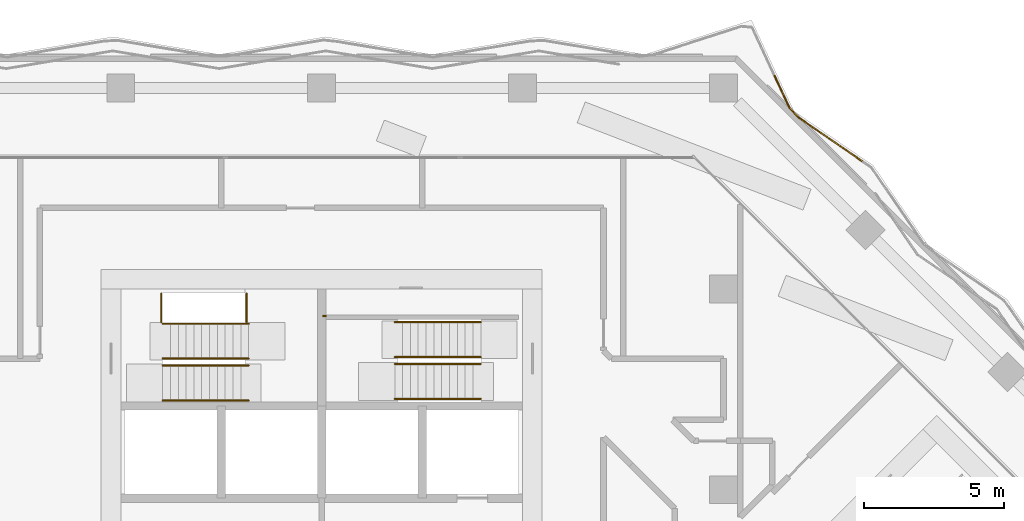
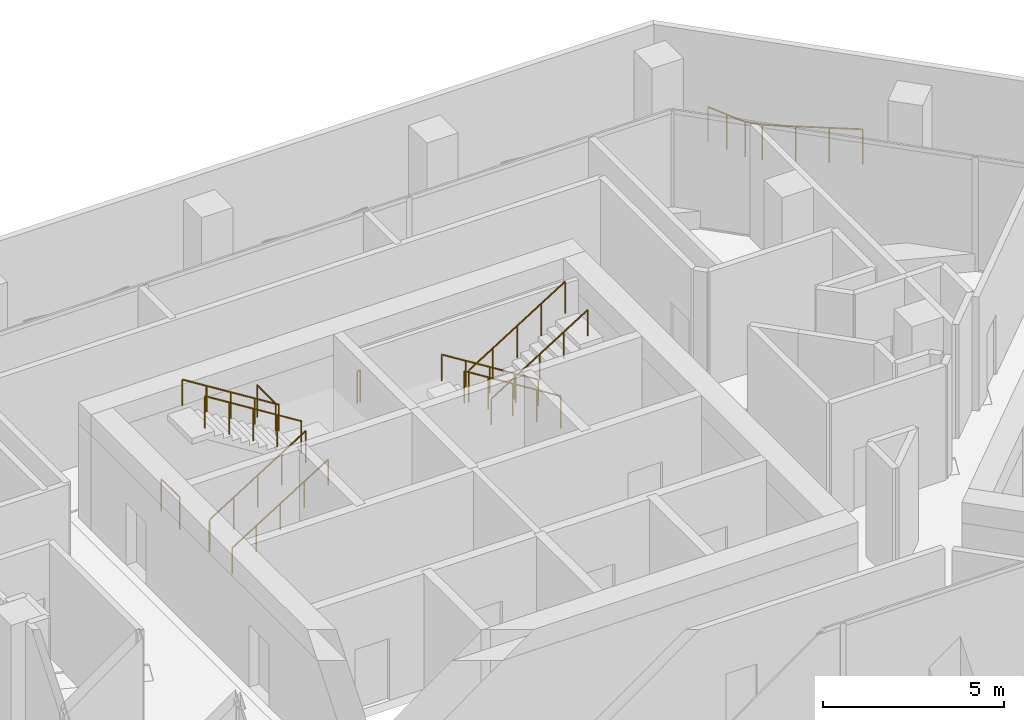
# One storey, part 19 of 23: 14 railings.
"""IFC4 building model written with IfcOpenShell, lengths in metres."""

import ifcopenshell
import ifcopenshell.guid

model = None  # the IFC model being written
_history = None  # IfcOwnerHistory: only IFC2X3 demands one
_inside = {}  # id of a spatial element -> (the spatial element, [elements in it])
_under = {}  # id of a project, library or spatial element -> (it, [spatial elements below it])
_declared = {}  # id of a project -> (the project, [libraries it declares])
_typed = {}  # id of a type object -> (the type object, [elements of that type])
_made_of = {}  # id of a material, layer set ... -> (it, [elements and type objects made of it])


def new_model(schema):
    """Start an empty IFC model of exactly this schema.

    Asked for "IFC4X3", IfcOpenShell would pick the latest addendum, in which some entities
    have other attributes; the version numbers below select the first issue.
    IFC2X3 requires an IfcOwnerHistory on every rooted entity: one is made here for all.
    """
    global model, _history
    if schema == "IFC4X3":
        model = ifcopenshell.file(schema_version=(4, 3, 0, 0))
    else:
        model = ifcopenshell.file(schema=schema)
    _inside.clear()
    _under.clear()
    _declared.clear()
    _typed.clear()
    _made_of.clear()
    _history = None
    if model.schema == "IFC2X3":
        org = make("IfcOrganization", Name="unknown")
        user = make(
            "IfcPersonAndOrganization",
            ThePerson=make("IfcPerson", FamilyName="unknown"),
            TheOrganization=org,
        )
        app = make(
            "IfcApplication",
            ApplicationDeveloper=org,
            Version="unknown",
            ApplicationFullName="unknown",
            ApplicationIdentifier="unknown",
        )
        _history = make(
            "IfcOwnerHistory",
            OwningUser=user,
            OwningApplication=app,
            ChangeAction="ADDED",
            CreationDate=0,
        )
    return model


def make(cls, **values):
    """One entity of the class cls with the attributes given. An attribute that is None is left unset."""
    return model.create_entity(
        cls, **{name: value for name, value in values.items() if value is not None}
    )


def rooted(cls, **values):
    """An entity with a GlobalId (a new one), such as an element, a storey or a relation."""
    return make(cls, GlobalId=ifcopenshell.guid.new(), OwnerHistory=_history, **values)


def si_unit(unit_type, name, prefix=None):
    """IfcSIUnit, for example si_unit("LENGTHUNIT", "METRE", prefix="MILLI")."""
    return make("IfcSIUnit", UnitType=unit_type, Prefix=prefix, Name=name)


def assignment(units):
    """IfcUnitAssignment: the units of a project."""
    return None if units is None else make("IfcUnitAssignment", Units=units)


def point(xyz):
    """IfcCartesianPoint."""
    return None if xyz is None else make("IfcCartesianPoint", Coordinates=xyz)


def direction(xyz):
    """IfcDirection."""
    return None if xyz is None else make("IfcDirection", DirectionRatios=xyz)


def frame(location, z_axis=None, x_axis=None):
    """IfcAxis2Placement3D, a coordinate frame: its origin and axes. An axis left out is left unset."""
    return make(
        "IfcAxis2Placement3D",
        Location=point(location),
        Axis=direction(z_axis),
        RefDirection=direction(x_axis),
    )


def frame_2d(location, x_axis=None):
    """IfcAxis2Placement2D, a coordinate frame in the plane: its origin and x axis."""
    return make(
        "IfcAxis2Placement2D", Location=point(location), RefDirection=direction(x_axis)
    )


def origin():
    """The frame at (0, 0, 0) with its axes left unset."""
    return frame((0.0, 0.0, 0.0))


def origin_2d():
    """The frame at (0, 0) in the plane with its x axis left unset."""
    return frame_2d((0.0, 0.0))


def place(relative_to, where):
    """IfcLocalPlacement: puts the frame where relative to a parent placement (None: the world)."""
    return make(
        "IfcLocalPlacement", PlacementRelTo=relative_to, RelativePlacement=where
    )


def context(
    kind, dimensions, precision=None, world=None, true_north=None, identifier=None
):
    """IfcGeometricRepresentationContext, for example the 3D "Model" context."""
    return make(
        "IfcGeometricRepresentationContext",
        ContextIdentifier=identifier,
        ContextType=kind,
        CoordinateSpaceDimension=dimensions,
        Precision=precision,
        WorldCoordinateSystem=world,
        TrueNorth=true_north,
    )


def subcontext(parent, identifier, kind, view, scale=None):
    """IfcGeometricRepresentationSubContext, for example "Body" below "Model"."""
    return make(
        "IfcGeometricRepresentationSubContext",
        ContextIdentifier=identifier,
        ContextType=kind,
        ParentContext=parent,
        TargetScale=scale,
        TargetView=view,
    )


def project(units=None, contexts=None):
    """IfcProject with its units and contexts."""
    return rooted(
        "IfcProject",
        Name="project",
        RepresentationContexts=contexts,
        UnitsInContext=assignment(units),
    )


def spatial(cls, under=None, at=None, **own):
    """A site, building, storey or space (cls), placed at a placement, below another one or the project."""
    s = rooted(cls, ObjectPlacement=at, **own)
    if under is not None:
        _under.setdefault(under.id(), (under, []))[1].append(s)
    return s


def profile(cls, at=None, kind="AREA", **sizes):
    """A parametric profile (cls). Its sizes go by their IFC names, for example OverallWidth=200.0."""
    return make(cls, ProfileType=kind, Position=at, **sizes)


def circle(**sizes):
    """IfcCircleProfileDef."""
    return profile("IfcCircleProfileDef", **sizes)


def extrude(swept, where, along, depth):
    """IfcExtrudedAreaSolid: the profile swept, set in the frame where, extruded along a direction by depth."""
    return make(
        "IfcExtrudedAreaSolid",
        SweptArea=swept,
        Position=where,
        ExtrudedDirection=direction(along),
        Depth=depth,
    )


def shape(context_of_items, identifier, shape_type, items):
    """IfcShapeRepresentation: the items that make up one representation, for example the "Body"."""
    return make(
        "IfcShapeRepresentation",
        ContextOfItems=context_of_items,
        RepresentationIdentifier=identifier,
        RepresentationType=shape_type,
        Items=items,
    )


def material(Name=None, Category=None):
    """IfcMaterial."""
    return make("IfcMaterial", Name=Name, Category=Category)


def made_of(thing, what):
    """Note that an element or type object is made of a material, layer set ...; save() writes the relation."""
    if what is not None:
        _made_of.setdefault(what.id(), (what, []))[1].append(thing)
    return thing


def type_object(cls, material=None, **own):
    """A type object (cls), such as IfcWallType, which elements share."""
    return made_of(rooted(cls, **own), material)


def element(
    cls,
    number,
    at=None,
    inside=None,
    cuts=None,
    type_object=None,
    material=None,
    context=None,
    identifier="Body",
    shape_type=None,
    held_by="IfcProductDefinitionShape",
    body=None,
    shapes=None,
    **own,
):
    """One element of the class cls, such as IfcWall. Its Tag is "e" and its number.

    at: its placement. inside: the storey or other place that contains it. cuts: it is an
    opening in that element (IfcRelVoidsElement). A single representation is given by context,
    identifier, shape_type and body (its items); several are given by shapes. held_by: the class
    of the entity that holds the representations. save() writes the other relations.
    """
    e = rooted(cls, Tag="e%d" % number, ObjectPlacement=at, **own)
    if body is not None:
        shapes = [shape(context, identifier, shape_type, body)]
    if shapes is not None:
        e.Representation = make(held_by, Representations=shapes)
    if inside is not None:
        _inside.setdefault(inside.id(), (inside, []))[1].append(e)
    if cuts is not None:
        rooted(
            "IfcRelVoidsElement", RelatingBuildingElement=cuts, RelatedOpeningElement=e
        )
    if type_object is not None:
        _typed.setdefault(type_object.id(), (type_object, []))[1].append(e)
    return made_of(e, material)


def aggregate(whole, parts):
    """IfcRelAggregates: a whole, such as a stair, and the parts it consists of."""
    return rooted("IfcRelAggregates", RelatingObject=whole, RelatedObjects=parts)


def save(model, path):
    """Write the relations noted so far, then the file.

    IfcRelAggregates (storeys below a building ...), IfcRelContainedInSpatialStructure (elements
    in a storey), IfcRelDefinesByType, IfcRelAssociatesMaterial and IfcRelDeclares: one each for
    every whole, place, type object, material and project.
    """
    for whole, parts in _under.values():
        aggregate(whole, parts)
    for where, things in _inside.values():
        rooted(
            "IfcRelContainedInSpatialStructure",
            RelatedElements=things,
            RelatingStructure=where,
        )
    for kind, things in _typed.values():
        rooted("IfcRelDefinesByType", RelatedObjects=things, RelatingType=kind)
    for what, things in _made_of.values():
        rooted("IfcRelAssociatesMaterial", RelatedObjects=things, RelatingMaterial=what)
    for by, libraries in _declared.values():
        rooted("IfcRelDeclares", RelatingContext=by, RelatedDefinitions=libraries)
    model.write(path)


model = new_model("IFC4")

# Units and contexts
model_context = context("Model", 3, precision=1e-05, world=origin(), true_north=direction((0.0, 1.0)))
body_context = subcontext(model_context, "Body", "Model", "MODEL_VIEW")
ifc_project = project(units=[si_unit("LENGTHUNIT", "METRE"), si_unit("AREAUNIT", "SQUARE_METRE"), si_unit("VOLUMEUNIT", "CUBIC_METRE"), si_unit("PLANEANGLEUNIT", "RADIAN"), si_unit("MASSUNIT", "GRAM", prefix="KILO")], contexts=[model_context])

# Site, building, storey
site_placement = place(None, origin())
site = spatial("IfcSite", under=ifc_project, at=site_placement, CompositionType="ELEMENT")
building_placement = place(site_placement, origin())
building = spatial("IfcBuilding", under=site, at=building_placement, Name="Windrow Commons", CompositionType="ELEMENT")
storey_placement = place(building_placement, frame((0.0, 0.0, 122.0)))
storey = spatial("IfcBuildingStorey", under=building, at=storey_placement, Name="L33", CompositionType="ELEMENT", Elevation=122.0)

# Railings
ifc_material_1 = material(Name="Steel S355", Category="steel")
railing_type_1 = type_object("IfcRailingType", Name="Core stair guard 1100", PredefinedType="GUARDRAIL", material=ifc_material_1)
railing_1_placement = place(storey_placement, frame((59.1, 62.05, 0.175)))
element("IfcRailing", 1, at=railing_1_placement, inside=storey, type_object=railing_type_1, Name="L33 ST-A1 stair guard 1", PredefinedType="GUARDRAIL", context=body_context, shape_type="SweptSolid", body=[
    extrude(circle(Radius=0.024, at=origin_2d()), frame((0.0, 0.0, 1.076), z_axis=(0.847998304, 0.0, 0.52999894), x_axis=(0.0, 1.0, 0.0)), (0.0, 0.0, 1.0), 3.6321),
    extrude(circle(Radius=0.021, at=origin_2d()), origin(), (0.0, 0.0, 1.0), 1.052),
    extrude(circle(Radius=0.021, at=origin_2d()), frame((0.77, 0.0, 0.4812)), (0.0, 0.0, 1.0), 1.052),
    extrude(circle(Radius=0.021, at=origin_2d()), frame((1.54, 0.0, 0.9625)), (0.0, 0.0, 1.0), 1.052),
    extrude(circle(Radius=0.021, at=origin_2d()), frame((2.31, 0.0, 1.4437)), (0.0, 0.0, 1.0), 1.052),
    extrude(circle(Radius=0.021, at=origin_2d()), frame((3.08, 0.0, 1.925)), (0.0, 0.0, 1.0), 1.052),
])
railing_2_placement = place(storey_placement, frame((62.18, 62.3, 2.275)))
element("IfcRailing", 2, at=railing_2_placement, inside=storey, type_object=railing_type_1, Name="L33 ST-A1 stair guard 2", PredefinedType="GUARDRAIL", context=body_context, shape_type="SweptSolid", body=[
    extrude(circle(Radius=0.024, at=origin_2d()), frame((0.0, 0.0, 1.076), z_axis=(-0.847998304, 0.0, 0.52999894), x_axis=(0.0, -1.0, 0.0)), (0.0, 0.0, 1.0), 3.6321),
    extrude(circle(Radius=0.021, at=origin_2d()), origin(), (0.0, 0.0, 1.0), 1.052),
    extrude(circle(Radius=0.021, at=origin_2d()), frame((-0.77, 0.0, 0.4812)), (0.0, 0.0, 1.0), 1.052),
    extrude(circle(Radius=0.021, at=origin_2d()), frame((-1.54, 0.0, 0.9625)), (0.0, 0.0, 1.0), 1.052),
    extrude(circle(Radius=0.021, at=origin_2d()), frame((-2.31, 0.0, 1.4437)), (0.0, 0.0, 1.0), 1.052),
    extrude(circle(Radius=0.021, at=origin_2d()), frame((-3.08, 0.0, 1.925)), (0.0, 0.0, 1.0), 1.052),
])
for number, where, name in (
    (3, (59.05, 63.6, 0.0), "L33 ST-A1 stair guard 3"),
    (4, (62.11, 63.6, 2.1), "L33 ST-A1 stair guard 4"),
):
    element("IfcRailing", number, at=place(storey_placement, frame(where)), inside=storey, type_object=railing_type_1, Name=name, PredefinedType="GUARDRAIL", context=body_context, shape_type="SweptSolid", body=[
        extrude(circle(Radius=0.024, at=origin_2d()), frame((0.0, 0.0, 1.076), z_axis=(0.0, 1.0, 0.0), x_axis=(-1.0, 0.0, 0.0)), (0.0, 0.0, 1.0), 1.03),
        extrude(circle(Radius=0.021, at=origin_2d()), origin(), (0.0, 0.0, 1.0), 1.052),
        extrude(circle(Radius=0.021, at=origin_2d()), frame((0.0, 1.03, 0.0)), (0.0, 0.0, 1.0), 1.052),
    ])
railing_3_placement = place(storey_placement, frame((70.5, 62.355, 0.175)))
element("IfcRailing", 5, at=railing_3_placement, inside=storey, type_object=railing_type_1, Name="L33 ST-A2 stair guard 1", PredefinedType="GUARDRAIL", context=body_context, shape_type="SweptSolid", body=[
    extrude(circle(Radius=0.024, at=origin_2d()), frame((0.0, 0.0, 1.076), z_axis=(-0.847998304, 0.0, 0.52999894), x_axis=(0.0, -1.0, 0.0)), (0.0, 0.0, 1.0), 3.6321),
    extrude(circle(Radius=0.021, at=origin_2d()), origin(), (0.0, 0.0, 1.0), 1.052),
    extrude(circle(Radius=0.021, at=origin_2d()), frame((-0.77, 0.0, 0.4812)), (0.0, 0.0, 1.0), 1.052),
    extrude(circle(Radius=0.021, at=origin_2d()), frame((-1.54, 0.0, 0.9625)), (0.0, 0.0, 1.0), 1.052),
    extrude(circle(Radius=0.021, at=origin_2d()), frame((-2.31, 0.0, 1.4437)), (0.0, 0.0, 1.0), 1.052),
    extrude(circle(Radius=0.021, at=origin_2d()), frame((-3.08, 0.0, 1.925)), (0.0, 0.0, 1.0), 1.052),
])
railing_4_placement = place(storey_placement, frame((67.42, 62.105, 2.275)))
element("IfcRailing", 6, at=railing_4_placement, inside=storey, type_object=railing_type_1, Name="L33 ST-A2 stair guard 2", PredefinedType="GUARDRAIL", context=body_context, shape_type="SweptSolid", body=[
    extrude(circle(Radius=0.024, at=origin_2d()), frame((0.0, 0.0, 1.076), z_axis=(0.847998304, 0.0, 0.52999894), x_axis=(0.0, 1.0, 0.0)), (0.0, 0.0, 1.0), 3.6321),
    extrude(circle(Radius=0.021, at=origin_2d()), origin(), (0.0, 0.0, 1.0), 1.052),
    extrude(circle(Radius=0.021, at=origin_2d()), frame((0.77, 0.0, 0.4812)), (0.0, 0.0, 1.0), 1.052),
    extrude(circle(Radius=0.021, at=origin_2d()), frame((1.54, 0.0, 0.9625)), (0.0, 0.0, 1.0), 1.052),
    extrude(circle(Radius=0.021, at=origin_2d()), frame((2.31, 0.0, 1.4437)), (0.0, 0.0, 1.0), 1.052),
    extrude(circle(Radius=0.021, at=origin_2d()), frame((3.08, 0.0, 1.925)), (0.0, 0.0, 1.0), 1.052),
])
railing_5_placement = place(storey_placement, frame((64.95, 63.825, 2.1)))
element("IfcRailing", 7, at=railing_5_placement, inside=storey, type_object=railing_type_1, Name="L33 ST-A2 stair guard 3", PredefinedType="GUARDRAIL", context=body_context, shape_type="SweptSolid", body=[
    extrude(circle(Radius=0.024, at=origin_2d()), frame((0.0, 0.0, 1.076), z_axis=(-1.0, 0.0, 0.0), x_axis=(0.0, -1.0, 0.0)), (0.0, 0.0, 1.0), 0.1),
    extrude(circle(Radius=0.021, at=origin_2d()), origin(), (0.0, 0.0, 1.0), 1.052),
    extrude(circle(Radius=0.021, at=origin_2d()), frame((-0.1, 0.0, 0.0)), (0.0, 0.0, 1.0), 1.052),
])
ifc_material_2 = material(Name="Steel S355", Category="steel")
railing_type_2 = type_object("IfcRailingType", Name="Core stair handrail 900", PredefinedType="HANDRAIL", material=ifc_material_2)
railing_6_placement = place(storey_placement, frame((59.1, 60.8, 0.175)))
element("IfcRailing", 8, at=railing_6_placement, inside=storey, type_object=railing_type_2, Name="L33 ST-A1 stair handrail 1", PredefinedType="HANDRAIL", context=body_context, shape_type="SweptSolid", body=[
    extrude(circle(Radius=0.024, at=origin_2d()), frame((0.0, 0.0, 0.876), z_axis=(0.847998304, 0.0, 0.52999894), x_axis=(0.0, 1.0, 0.0)), (0.0, 0.0, 1.0), 3.6321),
    extrude(circle(Radius=0.021, at=origin_2d()), origin(), (0.0, 0.0, 1.0), 0.852),
    extrude(circle(Radius=0.021, at=origin_2d()), frame((0.77, 0.0, 0.4812)), (0.0, 0.0, 1.0), 0.852),
    extrude(circle(Radius=0.021, at=origin_2d()), frame((1.54, 0.0, 0.9625)), (0.0, 0.0, 1.0), 0.852),
    extrude(circle(Radius=0.021, at=origin_2d()), frame((2.31, 0.0, 1.4437)), (0.0, 0.0, 1.0), 0.852),
    extrude(circle(Radius=0.021, at=origin_2d()), frame((3.08, 0.0, 1.925)), (0.0, 0.0, 1.0), 0.852),
])
for number, where, name in (
    (9, (62.18, 63.55, 2.275), "L33 ST-A1 stair handrail 2"),
    (10, (70.5, 63.605, 0.175), "L33 ST-A2 stair handrail 1"),
):
    element("IfcRailing", number, at=place(storey_placement, frame(where)), inside=storey, type_object=railing_type_2, Name=name, PredefinedType="HANDRAIL", context=body_context, shape_type="SweptSolid", body=[
        extrude(circle(Radius=0.024, at=origin_2d()), frame((0.0, 0.0, 0.876), z_axis=(-0.847998304, 0.0, 0.52999894), x_axis=(0.0, -1.0, 0.0)), (0.0, 0.0, 1.0), 3.6321),
        extrude(circle(Radius=0.021, at=origin_2d()), origin(), (0.0, 0.0, 1.0), 0.852),
        extrude(circle(Radius=0.021, at=origin_2d()), frame((-0.77, 0.0, 0.4812)), (0.0, 0.0, 1.0), 0.852),
        extrude(circle(Radius=0.021, at=origin_2d()), frame((-1.54, 0.0, 0.9625)), (0.0, 0.0, 1.0), 0.852),
        extrude(circle(Radius=0.021, at=origin_2d()), frame((-2.31, 0.0, 1.4437)), (0.0, 0.0, 1.0), 0.852),
        extrude(circle(Radius=0.021, at=origin_2d()), frame((-3.08, 0.0, 1.925)), (0.0, 0.0, 1.0), 0.852),
    ])
railing_7_placement = place(storey_placement, frame((67.42, 60.855, 2.275)))
element("IfcRailing", 11, at=railing_7_placement, inside=storey, type_object=railing_type_2, Name="L33 ST-A2 stair handrail 2", PredefinedType="HANDRAIL", context=body_context, shape_type="SweptSolid", body=[
    extrude(circle(Radius=0.024, at=origin_2d()), frame((0.0, 0.0, 0.876), z_axis=(0.847998304, 0.0, 0.52999894), x_axis=(0.0, 1.0, 0.0)), (0.0, 0.0, 1.0), 3.6321),
    extrude(circle(Radius=0.021, at=origin_2d()), origin(), (0.0, 0.0, 1.0), 0.852),
    extrude(circle(Radius=0.021, at=origin_2d()), frame((0.77, 0.0, 0.4812)), (0.0, 0.0, 1.0), 0.852),
    extrude(circle(Radius=0.021, at=origin_2d()), frame((1.54, 0.0, 0.9625)), (0.0, 0.0, 1.0), 0.852),
    extrude(circle(Radius=0.021, at=origin_2d()), frame((2.31, 0.0, 1.4437)), (0.0, 0.0, 1.0), 0.852),
    extrude(circle(Radius=0.021, at=origin_2d()), frame((3.08, 0.0, 1.925)), (0.0, 0.0, 1.0), 0.852),
])
ifc_material_3 = material(Name="Stainless steel S316 balustrade with toughened glass infill", Category="steel")
railing_type_3 = type_object("IfcRailingType", Name="Terrace guard 1200 podium", PredefinedType="BALUSTRADE", material=ifc_material_3)
railing_8_placement = place(storey_placement, frame((81.0267, 72.4336, 0.05)))
element("IfcRailing", 12, at=railing_8_placement, inside=storey, type_object=railing_type_3, Name="Guard TR-L33-1.C117", PredefinedType="BALUSTRADE", context=body_context, shape_type="SweptSolid", body=[
    extrude(circle(Radius=0.025, at=origin_2d()), frame((0.0, 0.0, 1.175), z_axis=(0.4230153177, -0.9061225309, 0.0), x_axis=(0.9061225309, 0.4230153177, 0.0)), (0.0, 0.0, 1.0), 1.2647),
    extrude(circle(Radius=0.02, at=origin_2d()), origin(), (0.0, 0.0, 1.0), 1.15),
    extrude(circle(Radius=0.02, at=origin_2d()), frame((0.2675, -0.573, 0.0)), (0.0, 0.0, 1.0), 1.15),
    extrude(circle(Radius=0.02, at=origin_2d()), frame((0.535, -1.146, 0.0)), (0.0, 0.0, 1.0), 1.15),
])
railing_9_placement = place(storey_placement, frame((81.5617, 71.2876, 0.05)))
element("IfcRailing", 13, at=railing_9_placement, inside=storey, type_object=railing_type_3, Name="Guard TR-L33-1.C118", PredefinedType="BALUSTRADE", context=body_context, shape_type="SweptSolid", body=[
    extrude(circle(Radius=0.025, at=origin_2d()), frame((0.0, 0.0, 1.175), z_axis=(0.6841479879, -0.7293432187, 0.0), x_axis=(0.7293432187, 0.6841479879, 0.0)), (0.0, 0.0, 1.0), 0.4824),
    extrude(circle(Radius=0.02, at=origin_2d()), origin(), (0.0, 0.0, 1.0), 1.15),
    extrude(circle(Radius=0.02, at=origin_2d()), frame((0.33, -0.3518, 0.0)), (0.0, 0.0, 1.0), 1.15),
])
railing_10_placement = place(storey_placement, frame((81.8917, 70.9358, 0.05)))
element("IfcRailing", 14, at=railing_10_placement, inside=storey, type_object=railing_type_3, Name="Guard TR-L33-1.C119", PredefinedType="BALUSTRADE", context=body_context, shape_type="SweptSolid", body=[
    extrude(circle(Radius=0.025, at=origin_2d()), frame((0.0, 0.0, 1.175), z_axis=(0.824580849, -0.5657441325, 0.0), x_axis=(0.5657441325, 0.824580849, 0.0)), (0.0, 0.0, 1.0), 2.7917),
    extrude(circle(Radius=0.02, at=origin_2d()), origin(), (0.0, 0.0, 1.0), 1.15),
    extrude(circle(Radius=0.02, at=origin_2d()), frame((0.7673, -0.5265, 0.0)), (0.0, 0.0, 1.0), 1.15),
    extrude(circle(Radius=0.02, at=origin_2d()), frame((1.5347, -1.0529, 0.0)), (0.0, 0.0, 1.0), 1.15),
    extrude(circle(Radius=0.02, at=origin_2d()), frame((2.302, -1.5794, 0.0)), (0.0, 0.0, 1.0), 1.15),
])

save(model, "model.ifc")
